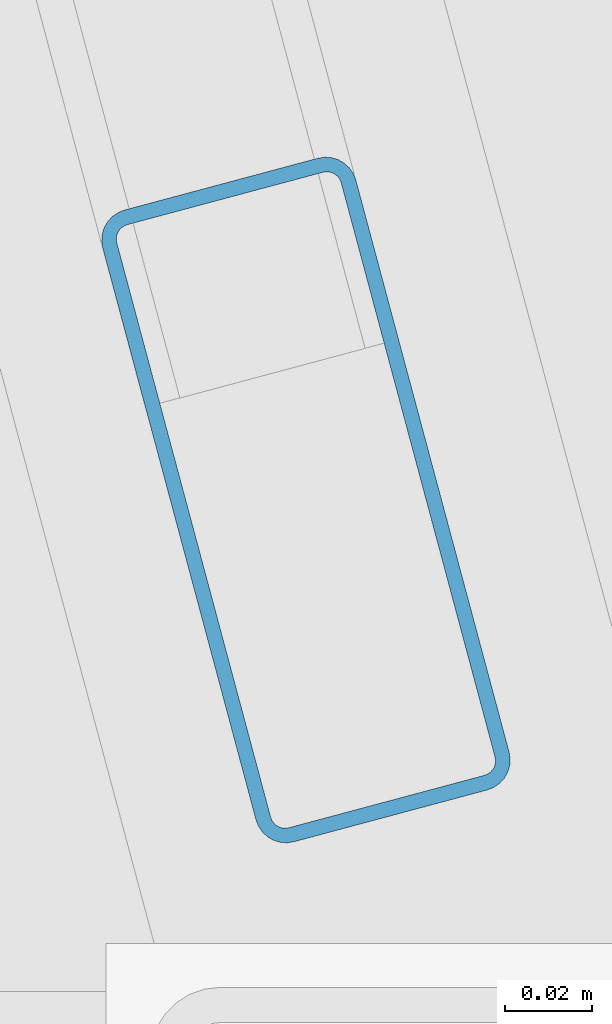
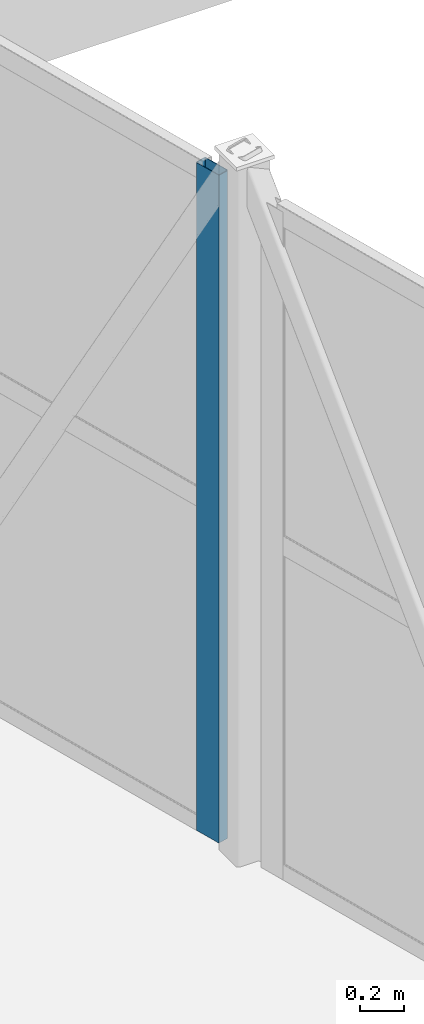
# One storey, part 48 of 127: 1 member, 1 element without a shape of its own.
"""IFC4 building model written with IfcOpenShell, lengths in metres."""

from ifc_helpers import new_model, si_unit, direction, frame, origin, origin_2d, place, context, subcontext, project, spatial, hollow_rectangle, extrude, material, layer, layer_set, material_profile, profile_set, type_object, element, aggregate, save


model = new_model("IFC4")

# Units and contexts
model_context = context("Model", 3, precision=1e-05, world=origin(), true_north=direction((0.0, 1.0)))
body_context = subcontext(model_context, "Body", "Model", "MODEL_VIEW")
ifc_project = project(units=[si_unit("LENGTHUNIT", "METRE"), si_unit("AREAUNIT", "SQUARE_METRE"), si_unit("VOLUMEUNIT", "CUBIC_METRE"), si_unit("PLANEANGLEUNIT", "RADIAN"), si_unit("MASSUNIT", "GRAM", prefix="KILO")], contexts=[model_context])

# Site, building, storey
site_placement = place(None, origin())
site = spatial("IfcSite", under=ifc_project, at=site_placement, CompositionType="ELEMENT")
building_placement = place(site_placement, origin())
building = spatial("IfcBuilding", under=site, at=building_placement, Name="Dunvalen Ferry Terminal", CompositionType="ELEMENT")
storey_placement = place(building_placement, frame((0.0, 0.0, 5.760009765625)))
storey = spatial("IfcBuildingStorey", under=building, at=storey_placement, Name="L01", CompositionType="ELEMENT", Elevation=5.760009765625)

# Curtain wall, member
ifc_material_1 = material(Name="Anodised marine aluminium and solar-control glazing", Category="aluminium")
ifc_layer = layer(ifc_material_1, 0.159912109375, Name="Anodised marine aluminium and solar-control glazing")
ifc_layer_set = layer_set([ifc_layer], Name="Anodised marine aluminium and solar-control glazing")
curtain_wall_type = type_object("IfcCurtainWallType", Name="ENV-CW-SYS-07", PredefinedType="NOTDEFINED", material=ifc_layer_set)
curtain_wall_placement = place(storey_placement, origin())
curtain_wall = element("IfcCurtainWall", 1, at=curtain_wall_placement, inside=storey, type_object=curtain_wall_type, Name="L01 Curtain Wall CW-BRG1-S2-4", PredefinedType="NOTDEFINED")
ifc_material_2 = material(Name="Anodised marine aluminium EN AW-6063 T6", Category="aluminium")
ifc_material_profile = material_profile(ifc_material_2, hollow_rectangle(XDim=0.06005859375, YDim=0.14990234375, WallThickness=0.00341796875, InnerFilletRadius=0.00341796875, OuterFilletRadius=0.007080078125, at=origin_2d()), Name="Anodised marine aluminium EN AW-6063 T6")
ifc_profile_set = profile_set([ifc_material_profile], Name="Anodised marine aluminium EN AW-6063 T6")
member_type = type_object("IfcMemberType", Name="ENV-CW-MUL-3", PredefinedType="MULLION", material=ifc_profile_set)
member_placement = place(storey_placement, frame((40.0166015625, 93.8017578125, 0.0), z_axis=(0.0, 0.0, 1.0), x_axis=(-0.965934620531, -0.258786222315, 0.0)))
member = element("IfcMember", 2, at=member_placement, type_object=member_type, Name="CW-07 mullion 1", PredefinedType="MULLION", context=body_context, shape_type="SweptSolid", body=[
    extrude(hollow_rectangle(XDim=0.06005859375, YDim=0.14990234375, WallThickness=0.00341796875, InnerFilletRadius=0.00341796875, OuterFilletRadius=0.007080078125, at=origin_2d()), origin(), (0.0, 0.0, 1.0), 3.719970703125),
])
aggregate(curtain_wall, [member])

save(model, "model.ifc")
